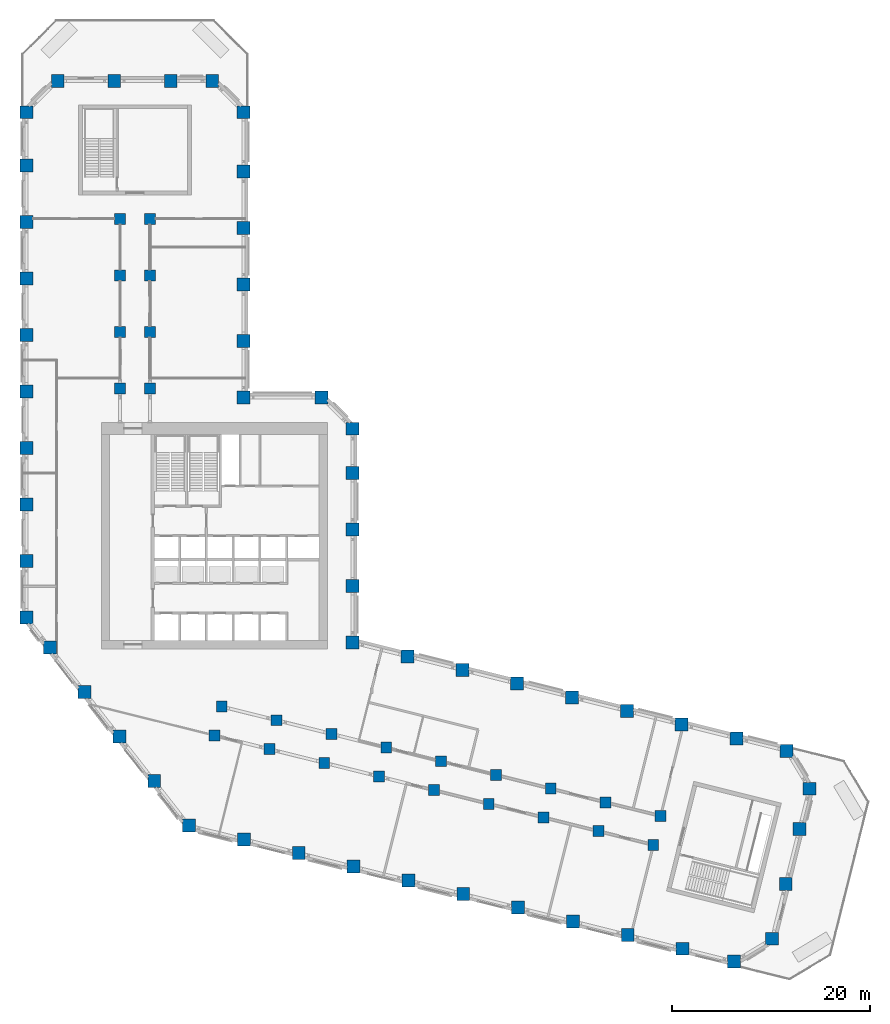
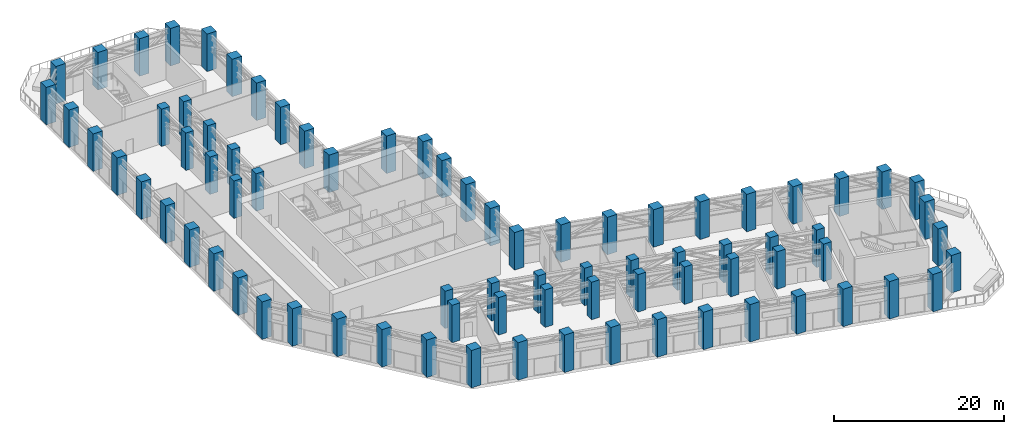
# One storey, part 1 of 21: 79 columns.
"""IFC4 building model written with IfcOpenShell, lengths in metres."""

from ifc_helpers import new_model, si_unit, direction, frame, origin, origin_2d, place, context, subcontext, project, spatial, rectangle, extrude, material, material_profile, profile_set, type_object, element, save


model = new_model("IFC4")

# Units and contexts
model_context = context("Model", 3, precision=1e-05, world=origin(), true_north=direction((0.0, 1.0)))
body_context = subcontext(model_context, "Body", "Model", "MODEL_VIEW")
ifc_project = project(units=[si_unit("LENGTHUNIT", "METRE"), si_unit("AREAUNIT", "SQUARE_METRE"), si_unit("VOLUMEUNIT", "CUBIC_METRE"), si_unit("PLANEANGLEUNIT", "RADIAN"), si_unit("MASSUNIT", "GRAM", prefix="KILO")], contexts=[model_context])

# Site, building, storey
site_placement = place(None, origin())
site = spatial("IfcSite", under=ifc_project, at=site_placement, CompositionType="ELEMENT")
building_placement = place(site_placement, origin())
building = spatial("IfcBuilding", under=site, at=building_placement, Name="Meshkara Civic Tower", CompositionType="ELEMENT")
storey_placement = place(building_placement, frame((0.0, 0.0, 156.0)))
storey = spatial("IfcBuildingStorey", under=building, at=storey_placement, Name="L35", CompositionType="ELEMENT", Elevation=156.0)

# Columns
ifc_material_1 = material(Name="Concrete C70", Category="concrete")
ifc_material_profile_1 = material_profile(ifc_material_1, rectangle(XDim=1.10009765625, YDim=1.10009765625, at=origin_2d()))
ifc_profile_set_1 = profile_set([ifc_material_profile_1], Name="Concrete C70")
column_type_1 = type_object("IfcColumnType", Name="Interior column RC 1100x1100 C70", PredefinedType="COLUMN", material=ifc_profile_set_1)
for number, where, z_axis, x_axis, name in (
    (1, (9.89990234375, 40.35009765625, 0.0), (0.0, 0.0, 1.0), (1.0, 0.0, 0.0), "Column SA1-04 L35"),
    (2, (9.89990234375, 46.050048828125, 0.0), (0.0, 0.0, 1.0), (1.0, 0.0, 0.0), "Column SA1-05 L35"),
    (3, (9.89990234375, 51.75, 0.0), (0.0, 0.0, 1.0), (1.0, 0.0, 0.0), "Column SA1-06 L35"),
    (4, (9.89990234375, 57.449951171875, 0.0), (0.0, 0.0, 1.0), (1.0, 0.0, 0.0), "Column SA1-07 L35"),
    (5, (12.89990234375, 40.35009765625, 0.0), (0.0, 0.0, 1.0), (1.0, 0.0, 0.0), "Column SA2-04 L35"),
    (6, (12.89990234375, 46.050048828125, 0.0), (0.0, 0.0, 1.0), (1.0, 0.0, 0.0), "Column SA2-05 L35"),
    (7, (12.89990234375, 51.75, 0.0), (0.0, 0.0, 1.0), (1.0, 0.0, 0.0), "Column SA2-06 L35"),
    (8, (12.89990234375, 57.449951171875, 0.0), (0.0, 0.0, 1.0), (1.0, 0.0, 0.0), "Column SA2-07 L35"),
    (9, (19.424072265625, 5.360107421875, 0.0), (0.0, 0.0, 1.0), (1.0, 0.0, 0.0), "Column SB1-00 L35"),
    (10, (24.9541015625, 3.98095703125, 0.0), (0.0, 0.0, 1.0), (1.0, 0.0, 0.0), "Column SB1-01 L35"),
    (11, (30.485107421875, 2.60205078125, 0.0), (0.0, 0.0, 1.0), (1.0, 0.0, 0.0), "Column SB1-02 L35"),
    (12, (36.01611328125, 1.222900390625, 0.0), (0.0, 0.0, 1.0), (1.0, 0.0, 0.0), "Column SB1-03 L35"),
    (13, (41.5458984375, -0.156005859375, 0.0), (0.0, 0.0, 1.0), (1.0, 0.0, 0.0), "Column SB1-04 L35"),
    (14, (47.076904296875, -1.534912109375, 0.0), (0.0, 0.0, 1.0), (1.0, 0.0, 0.0), "Column SB1-05 L35"),
    (15, (52.60791015625, -2.9140625, 0.0), (0.0, 0.0, 1.0), (1.0, 0.0, 0.0), "Column SB1-06 L35"),
    (16, (58.138916015625, -4.2919921875, 0.0), (0.0, 0.0, 1.0), (1.0, 0.0, 0.0), "Column SB1-07 L35"),
    (17, (63.6689453125, -5.6708984375, 0.0), (0.0, 0.0, 1.0), (1.0, 0.0, 0.0), "Column SB1-08 L35"),
    (18, (20.14892578125, 8.27099609375, 0.0), (0.0, 0.0, 1.0), (1.0, 0.0, 0.0), "Column SB2-00 L35"),
    (19, (25.679931640625, 6.89208984375, 0.0), (0.0, 0.0, 1.0), (1.0, 0.0, 0.0), "Column SB2-01 L35"),
    (20, (31.2109375, 5.512939453125, 0.0), (0.0, 0.0, 1.0), (1.0, 0.0, 0.0), "Column SB2-02 L35"),
    (21, (36.741943359375, 4.134033203125, 0.0), (0.0, 0.0, 1.0), (1.0, 0.0, 0.0), "Column SB2-03 L35"),
    (22, (42.27197265625, 2.7548828125, 0.0), (0.0, 0.0, 1.0), (1.0, 0.0, 0.0), "Column SB2-04 L35"),
    (23, (47.802978515625, 1.3759765625, 0.0), (0.0, 0.0, 1.0), (1.0, 0.0, 0.0), "Column SB2-05 L35"),
    (24, (53.333984375, -0.0029296875, 0.0), (0.0, 0.0, 1.0), (1.0, 0.0, 0.0), "Column SB2-06 L35"),
    (25, (58.864013671875, -1.382080078125, 0.0), (0.0, 0.0, 1.0), (1.0, 0.0, 0.0), "Column SB2-07 L35"),
    (26, (64.39501953125, -2.760986328125, 0.0), (0.0, 0.0, 1.0), (1.0, 0.0, 0.0), "Column SB2-08 L35"),
):
    element("IfcColumn", number, at=place(storey_placement, frame(where, z_axis=z_axis, x_axis=x_axis)), inside=storey, type_object=column_type_1, Name=name, PredefinedType="COLUMN", context=body_context, shape_type="SweptSolid", body=[
        extrude(rectangle(XDim=1.10009765625, YDim=1.10009765625, at=origin_2d()), origin(), (0.0, 0.0, 1.0), 5.39990234375),
    ])
ifc_material_2 = material(Name="Concrete C70", Category="concrete")
ifc_material_profile_2 = material_profile(ifc_material_2, rectangle(XDim=1.300048828125, YDim=1.300048828125, at=origin_2d()))
ifc_profile_set_2 = profile_set([ifc_material_profile_2], Name="Concrete C70")
column_type_2 = type_object("IfcColumnType", Name="Perimeter column RC 1300x1300 C70", PredefinedType="COLUMN", material=ifc_profile_set_2)
for number, where, z_axis, x_axis, name in (
    (27, (33.35009765625, 14.718994140625, 0.0), (0.0, 0.0, 1.0), (1.0, 0.0, 0.0), "Column HE00 L35"),
    (28, (33.35009765625, 20.4189453125, 0.0), (0.0, 0.0, 1.0), (1.0, 0.0, 0.0), "Column HE01 L35"),
    (29, (33.35009765625, 26.118896484375, 0.0), (0.0, 0.0, 1.0), (1.0, 0.0, 0.0), "Column HE02 L35"),
    (30, (33.35009765625, 31.819091796875, 0.0), (0.0, 0.0, 1.0), (1.0, 0.0, 0.0), "Column HE03 L35"),
    (31, (33.35009765625, 36.2939453125, 0.0), (0.0, 0.0, 1.0), (1.0, 0.0, 0.0), "Column HEE L35"),
    (32, (30.194091796875, 39.449951171875, 0.0), (0.0, 0.0, 1.0), (1.0, 0.0, 0.0), "Column HCeE L35"),
    (33, (22.35009765625, 39.449951171875, 0.0), (0.0, 0.0, 1.0), (1.0, 0.0, 0.0), "Column HN00 L35"),
    (34, (22.35009765625, 45.14990234375, 0.0), (0.0, 0.0, 1.0), (1.0, 0.0, 0.0), "Column AE01 L35"),
    (35, (22.35009765625, 50.85009765625, 0.0), (0.0, 0.0, 1.0), (1.0, 0.0, 0.0), "Column AE02 L35"),
    (36, (22.35009765625, 56.550048828125, 0.0), (0.0, 0.0, 1.0), (1.0, 0.0, 0.0), "Column AE03 L35"),
    (37, (22.35009765625, 62.25, 0.0), (0.0, 0.0, 1.0), (1.0, 0.0, 0.0), "Column AE04 L35"),
    (38, (22.35009765625, 68.214111328125, 0.0), (0.0, 0.0, 1.0), (1.0, 0.0, 0.0), "Column AEEP2 L35"),
    (39, (19.194091796875, 71.3701171875, 0.0), (0.0, 0.0, 1.0), (1.0, 0.0, 0.0), "Column ATiEP2 L35"),
    (40, (3.60595703125, 71.3701171875, 0.0), (0.0, 0.0, 1.0), (1.0, 0.0, 0.0), "Column AT00-P2 L35"),
    (41, (9.305908203125, 71.3701171875, 0.0), (0.0, 0.0, 1.0), (1.0, 0.0, 0.0), "Column AT01-P2 L35"),
    (42, (15.006103515625, 71.3701171875, 0.0), (0.0, 0.0, 1.0), (1.0, 0.0, 0.0), "Column AT02-P2 L35"),
    (43, (0.449951171875, 68.214111328125, 0.0), (0.0, 0.0, 1.0), (1.0, 0.0, 0.0), "Column ATo00-P2 L35"),
    (44, (0.449951171875, 17.2548828125, 0.0), (0.0, 0.0, 1.0), (1.0, 0.0, 0.0), "Column AW00 L35"),
    (45, (0.449951171875, 22.955078125, 0.0), (0.0, 0.0, 1.0), (1.0, 0.0, 0.0), "Column AW01 L35"),
    (46, (0.449951171875, 28.655029296875, 0.0), (0.0, 0.0, 1.0), (1.0, 0.0, 0.0), "Column AW02 L35"),
    (47, (0.449951171875, 34.35498046875, 0.0), (0.0, 0.0, 1.0), (1.0, 0.0, 0.0), "Column AW03 L35"),
    (48, (0.449951171875, 40.054931640625, 0.0), (0.0, 0.0, 1.0), (1.0, 0.0, 0.0), "Column AW04 L35"),
    (49, (0.449951171875, 45.7548828125, 0.0), (0.0, 0.0, 1.0), (1.0, 0.0, 0.0), "Column AW05 L35"),
    (50, (0.449951171875, 51.455078125, 0.0), (0.0, 0.0, 1.0), (1.0, 0.0, 0.0), "Column AW06 L35"),
    (51, (0.449951171875, 57.155029296875, 0.0), (0.0, 0.0, 1.0), (1.0, 0.0, 0.0), "Column AW07 L35"),
    (52, (0.449951171875, 62.85498046875, 0.0), (0.0, 0.0, 1.0), (1.0, 0.0, 0.0), "Column AW08 L35"),
    (53, (16.85107421875, -3.738037109375, 0.0), (0.0, 0.0, 1.0), (1.0, 0.0, 0.0), "Column BOW00 L35"),
    (54, (13.342041015625, 0.75390625, 0.0), (0.0, 0.0, 1.0), (1.0, 0.0, 0.0), "Column BOW01 L35"),
    (55, (9.8330078125, 5.2451171875, 0.0), (0.0, 0.0, 1.0), (1.0, 0.0, 0.0), "Column BOW02 L35"),
    (56, (6.322998046875, 9.737060546875, 0.0), (0.0, 0.0, 1.0), (1.0, 0.0, 0.0), "Column BOW03 L35"),
    (57, (2.81396484375, 14.22900390625, 0.0), (0.0, 0.0, 1.0), (1.0, 0.0, 0.0), "Column BOW04 L35"),
    (58, (22.382080078125, -5.116943359375, 0.0), (0.0, 0.0, 1.0), (1.0, 0.0, 0.0), "Column BS01 L35"),
    (59, (27.912109375, -6.49609375, 0.0), (0.0, 0.0, 1.0), (1.0, 0.0, 0.0), "Column BS02 L35"),
    (60, (33.443115234375, -7.875, 0.0), (0.0, 0.0, 1.0), (1.0, 0.0, 0.0), "Column BS03 L35"),
    (61, (38.97412109375, -9.2529296875, 0.0), (0.0, 0.0, 1.0), (1.0, 0.0, 0.0), "Column BS04-P1 L35"),
    (62, (44.5048828125, -10.632080078125, 0.0), (0.0, 0.0, 1.0), (1.0, 0.0, 0.0), "Column BS05 L35"),
    (63, (50.034912109375, -12.010986328125, 0.0), (0.0, 0.0, 1.0), (1.0, 0.0, 0.0), "Column BS06 L35"),
    (64, (55.56591796875, -13.389892578125, 0.0), (0.0, 0.0, 1.0), (1.0, 0.0, 0.0), "Column BS07 L35"),
    (65, (61.096923828125, -14.76904296875, 0.0), (0.0, 0.0, 1.0), (1.0, 0.0, 0.0), "Column BS08 L35"),
    (66, (66.626953125, -16.14794921875, 0.0), (0.0, 0.0, 1.0), (1.0, 0.0, 0.0), "Column BS09 L35"),
    (67, (71.826904296875, -17.444091796875, 0.0), (0.0, 0.0, 1.0), (1.0, 0.0, 0.0), "Column BSEP2 L35"),
    (68, (75.653076171875, -15.14501953125, 0.0), (0.0, 0.0, 1.0), (1.0, 0.0, 0.0), "Column BToEP2 L35"),
    (69, (77.031982421875, -9.614013671875, 0.0), (0.0, 0.0, 1.0), (1.0, 0.0, 0.0), "Column BT01-P2 L35"),
    (70, (78.410888671875, -4.083984375, 0.0), (0.0, 0.0, 1.0), (1.0, 0.0, 0.0), "Column BT02-P2 L35"),
    (71, (79.424072265625, -0.02099609375, 0.0), (0.0, 0.0, 1.0), (1.0, 0.0, 0.0), "Column BTEP2 L35"),
    (72, (77.125, 3.803955078125, 0.0), (0.0, 0.0, 1.0), (1.0, 0.0, 0.0), "Column BTi00-P2 L35"),
    (73, (38.881103515625, 13.340087890625, 0.0), (0.0, 0.0, 1.0), (1.0, 0.0, 0.0), "Column BN01 L35"),
    (74, (44.410888671875, 11.9609375, 0.0), (0.0, 0.0, 1.0), (1.0, 0.0, 0.0), "Column BN02 L35"),
    (75, (49.94189453125, 10.58203125, 0.0), (0.0, 0.0, 1.0), (1.0, 0.0, 0.0), "Column BN03 L35"),
    (76, (55.472900390625, 9.202880859375, 0.0), (0.0, 0.0, 1.0), (1.0, 0.0, 0.0), "Column BN04 L35"),
    (77, (61.0029296875, 7.823974609375, 0.0), (0.0, 0.0, 1.0), (1.0, 0.0, 0.0), "Column BN05 L35"),
    (78, (66.533935546875, 6.445068359375, 0.0), (0.0, 0.0, 1.0), (1.0, 0.0, 0.0), "Column BN06 L35"),
    (79, (72.06494140625, 5.06591796875, 0.0), (0.0, 0.0, 1.0), (1.0, 0.0, 0.0), "Column BN07 L35"),
):
    element("IfcColumn", number, at=place(storey_placement, frame(where, z_axis=z_axis, x_axis=x_axis)), inside=storey, type_object=column_type_2, Name=name, PredefinedType="COLUMN", context=body_context, shape_type="SweptSolid", body=[
        extrude(rectangle(XDim=1.300048828125, YDim=1.300048828125, at=origin_2d()), origin(), (0.0, 0.0, 1.0), 5.39990234375),
    ])

save(model, "model.ifc")
